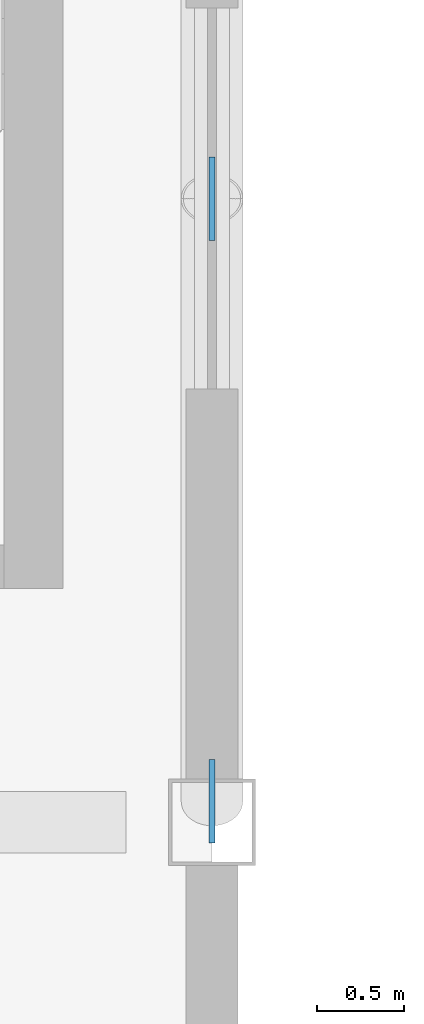
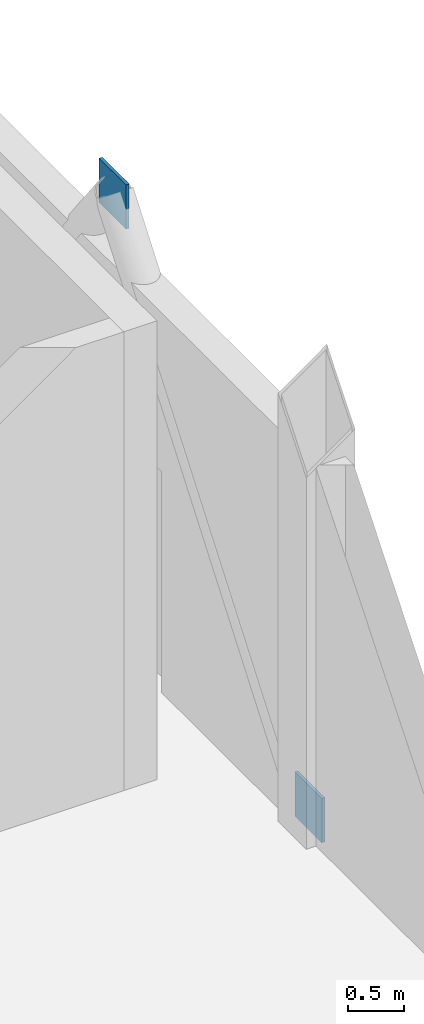
# One storey, part 82 of 137: 2 plates.
"""IFC4 building model written with IfcOpenShell, lengths in metres."""

from ifc_helpers import new_model, si_unit, direction, frame, origin, origin_2d, place, context, subcontext, project, spatial, rectangle, extrude, material, layer, layer_set, type_object, element, save


model = new_model("IFC4")

# Units and contexts
model_context = context("Model", 3, precision=1e-05, world=origin(), true_north=direction((0.0, 1.0)))
body_context = subcontext(model_context, "Body", "Model", "MODEL_VIEW")
ifc_project = project(units=[si_unit("LENGTHUNIT", "METRE"), si_unit("AREAUNIT", "SQUARE_METRE"), si_unit("VOLUMEUNIT", "CUBIC_METRE"), si_unit("PLANEANGLEUNIT", "RADIAN"), si_unit("MASSUNIT", "GRAM", prefix="KILO")], contexts=[model_context])

# Site, building, storey
site_placement = place(None, origin())
site = spatial("IfcSite", under=ifc_project, at=site_placement, CompositionType="ELEMENT")
building_placement = place(site_placement, origin())
building = spatial("IfcBuilding", under=site, at=building_placement, Name="Celestram Park Convention Centre", CompositionType="ELEMENT")
storey_placement = place(building_placement, origin())
storey = spatial("IfcBuildingStorey", under=building, at=storey_placement, Name="L00", CompositionType="ELEMENT", Elevation=0.0)

# Plates
ifc_material = material(Name="Steel ASTM A572 Grade 50", Category="steel")
ifc_layer = layer(ifc_material, 0.031982421875)
ifc_layer_set = layer_set([ifc_layer], Name="Steel ASTM A572 Grade 50")
plate_type = type_object("IfcPlateType", Name="STR-PLT-GP32", PredefinedType="USERDEFINED", material=ifc_layer_set)
for number, where, z_axis, x_axis, name in (
    (1, (216.0, 126.0, 4.4599609375), (0.0, 0.0, 1.0), (0.0, 1.0, 0.0), "Chevron brace apex gusset GP-L00-520"),
    (2, (216.0, 122.52001953125, -0.090087890625), (0.0, 0.0, 1.0), (0.0, 1.0, 0.0), "Chevron brace base gusset GP-L00-521"),
):
    element("IfcPlate", number, at=place(storey_placement, frame(where, z_axis=z_axis, x_axis=x_axis)), inside=storey, type_object=plate_type, Name=name, ObjectType="GUSSET_PLATE", PredefinedType="USERDEFINED", context=body_context, shape_type="SweptSolid", body=[
        extrude(rectangle(XDim=0.47998046875, YDim=0.031982421875, at=origin_2d()), origin(), (0.0, 0.0, 1.0), 0.47998046875),
    ])

save(model, "model.ifc")
